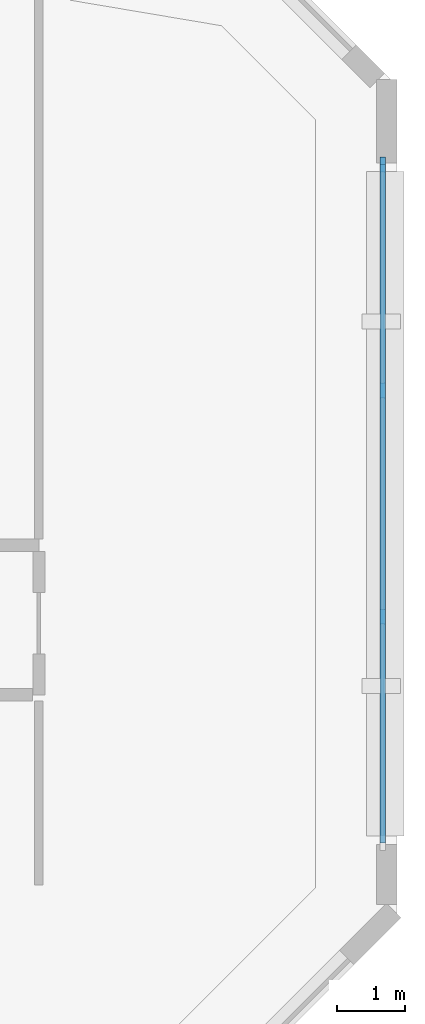
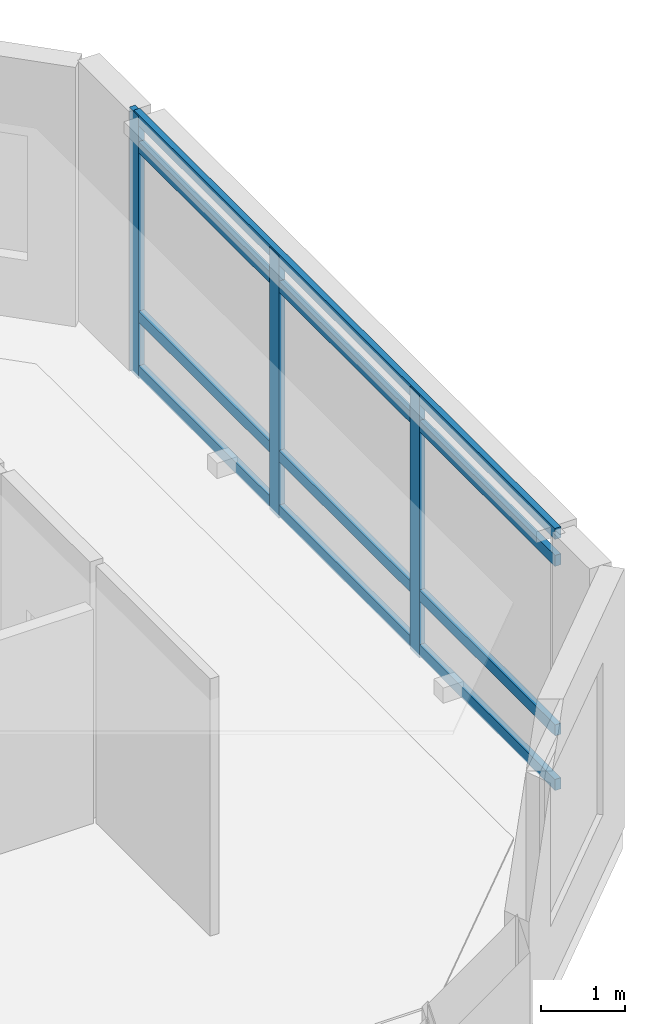
# One storey, part 4 of 12: 7 members, 1 element without a shape of its own.
"""IFC4 building model written with IfcOpenShell, lengths in metres."""

from ifc_helpers import new_model, si_unit, direction, frame, origin, origin_2d, place, context, subcontext, project, spatial, rectangle, extrude, source, transform, mapped, material, material_profile, profile_set, type_object, element, aggregate, save


model = new_model("IFC4")

# Units and contexts
model_context = context("Model", 3, precision=1e-05, world=origin(), true_north=direction((0.0, 1.0)))
body_context = subcontext(model_context, "Body", "Model", "MODEL_VIEW")
ifc_project = project(units=[si_unit("LENGTHUNIT", "METRE"), si_unit("AREAUNIT", "SQUARE_METRE"), si_unit("VOLUMEUNIT", "CUBIC_METRE"), si_unit("PLANEANGLEUNIT", "RADIAN"), si_unit("MASSUNIT", "GRAM", prefix="KILO")], contexts=[model_context])

# Site, building, storey
site_placement = place(None, origin())
site = spatial("IfcSite", under=ifc_project, at=site_placement, CompositionType="ELEMENT")
building_placement = place(site_placement, origin())
building = spatial("IfcBuilding", under=site, at=building_placement, Name="Calvemar Wedge Station Tower", CompositionType="ELEMENT")
storey_placement = place(building_placement, frame((0.0, 0.0, 51.0)))
storey = spatial("IfcBuildingStorey", under=building, at=storey_placement, Name="L12", CompositionType="ELEMENT", Elevation=51.0)

# Curtain wall, members
ifc_material = material(Name="Anodised aluminium 6063-T6", Category="aluminium")
curtain_wall_type = type_object("IfcCurtainWallType", Name="CW1", PredefinedType="NOTDEFINED", material=ifc_material)
curtain_wall_placement = place(storey_placement, origin())
curtain_wall = element("IfcCurtainWall", 1, at=curtain_wall_placement, inside=storey, type_object=curtain_wall_type, Name="Storey L12 CW1 Recessed Unitised Curtain Wall 8", PredefinedType="NOTDEFINED")
ifc_material_profile_1 = material_profile(ifc_material, rectangle(XDim=0.080078125, YDim=0.219970703125, at=origin_2d()), Name="AL-MUL-80x220")
ifc_profile_set_1 = profile_set([ifc_material_profile_1], Name="Anodised aluminium 6063-T6")
member_type_1 = type_object("IfcMemberType", Name="CW1-MUL", PredefinedType="MULLION", material=ifc_profile_set_1)
shared_shape_1 = source(origin(), body_context, "Body", "SweptSolid", [
    extrude(rectangle(XDim=0.080078125, YDim=0.219970703125, at=origin_2d()), origin(), (0.0, 0.0, 1.0), 3.800048828125),
])
member_1_placement = place(storey_placement, frame((60.7900390625, 36.947509765625, -0.050048828125), z_axis=(0.0, 0.0, 1.0), x_axis=(1.0, 0.0, 0.0)))
member_1 = element("IfcMember", 2, at=member_1_placement, type_object=member_type_1, Name="CW1 mullion 2", PredefinedType="MULLION", context=body_context, shape_type="MappedRepresentation", body=[
    mapped(shared_shape_1, transform((0.0, 0.0, 0.0), scale=1.0)),
])
member_2_placement = place(storey_placement, frame((60.7900390625, 40.272705078125, -0.050048828125), z_axis=(0.0, 0.0, 1.0), x_axis=(1.0, 0.0, 0.0)))
member_2 = element("IfcMember", 3, at=member_2_placement, type_object=member_type_1, Name="CW1 mullion 3", PredefinedType="MULLION", context=body_context, shape_type="MappedRepresentation", body=[
    mapped(shared_shape_1, transform((0.0, 0.0, 0.0), scale=1.0)),
])
member_3_placement = place(storey_placement, frame((60.7900390625, 43.597900390625, -0.050048828125), z_axis=(0.0, 0.0, 1.0), x_axis=(1.0, 0.0, 0.0)))
member_3 = element("IfcMember", 4, at=member_3_placement, type_object=member_type_1, Name="CW1 mullion 4", PredefinedType="MULLION", context=body_context, shape_type="MappedRepresentation", body=[
    mapped(shared_shape_1, transform((0.0, 0.0, 0.0), scale=1.0)),
])
ifc_material_profile_2 = material_profile(ifc_material, rectangle(XDim=0.080078125, YDim=0.159912109375, at=origin_2d()), Name="AL-TRN-80x160")
ifc_profile_set_2 = profile_set([ifc_material_profile_2], Name="Anodised aluminium 6063-T6")
member_type_2 = type_object("IfcMemberType", Name="CW1-TRN", PredefinedType="USERDEFINED", material=ifc_profile_set_2)
shared_shape_2 = source(origin(), body_context, "Body", "SweptSolid", [
    extrude(rectangle(XDim=0.080078125, YDim=0.159912109375, at=origin_2d()), origin(), (0.0, 0.0, 1.0), 9.975830078125),
])
member_4_placement = place(storey_placement, frame((60.7900390625, 33.6220703125, 0.06005859375), z_axis=(0.0, 1.0, 0.0), x_axis=(-1.0, 0.0, 0.0)))
member_4 = element("IfcMember", 5, at=member_4_placement, type_object=member_type_2, Name="CW1 transom 1", ObjectType="TRANSOM", PredefinedType="USERDEFINED", context=body_context, shape_type="MappedRepresentation", body=[
    mapped(shared_shape_2, transform((0.0, 0.0, 0.0), scale=1.0)),
])
member_5_placement = place(storey_placement, frame((60.7900390625, 33.6220703125, 0.85009765625), z_axis=(0.0, 1.0, 0.0), x_axis=(-1.0, 0.0, 0.0)))
member_5 = element("IfcMember", 6, at=member_5_placement, type_object=member_type_2, Name="CW1 transom 2", ObjectType="TRANSOM", PredefinedType="USERDEFINED", context=body_context, shape_type="MappedRepresentation", body=[
    mapped(shared_shape_2, transform((0.0, 0.0, 0.0), scale=1.0)),
])
member_6_placement = place(storey_placement, frame((60.7900390625, 33.6220703125, 3.300048828125), z_axis=(0.0, 1.0, 0.0), x_axis=(-1.0, 0.0, 0.0)))
member_6 = element("IfcMember", 7, at=member_6_placement, type_object=member_type_2, Name="CW1 transom 3", ObjectType="TRANSOM", PredefinedType="USERDEFINED", context=body_context, shape_type="MappedRepresentation", body=[
    mapped(shared_shape_2, transform((0.0, 0.0, 0.0), scale=1.0)),
])
member_7_placement = place(storey_placement, frame((60.7900390625, 33.6220703125, 3.68994140625), z_axis=(0.0, 1.0, 0.0), x_axis=(-1.0, 0.0, 0.0)))
member_7 = element("IfcMember", 8, at=member_7_placement, type_object=member_type_2, Name="CW1 transom 4", ObjectType="TRANSOM", PredefinedType="USERDEFINED", context=body_context, shape_type="MappedRepresentation", body=[
    mapped(shared_shape_2, transform((0.0, 0.0, 0.0), scale=1.0)),
])
aggregate(curtain_wall, [member_1, member_2, member_3, member_4, member_5, member_6, member_7])

save(model, "model.ifc")
